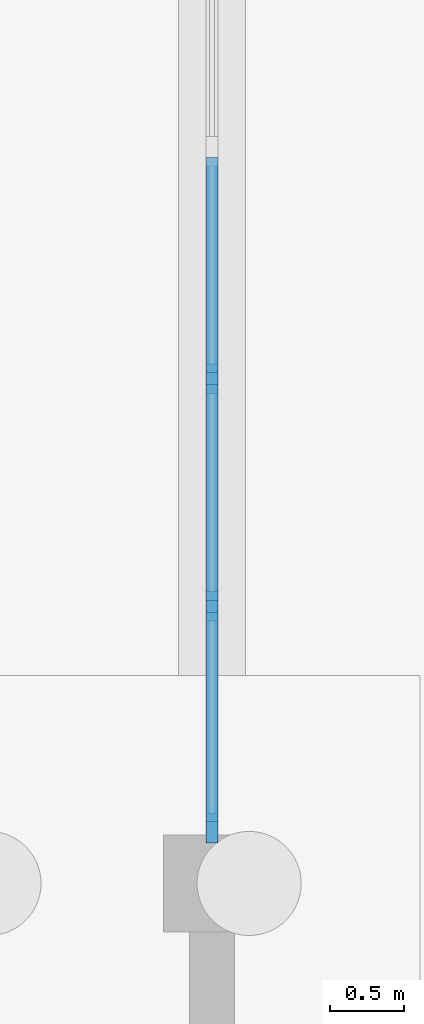
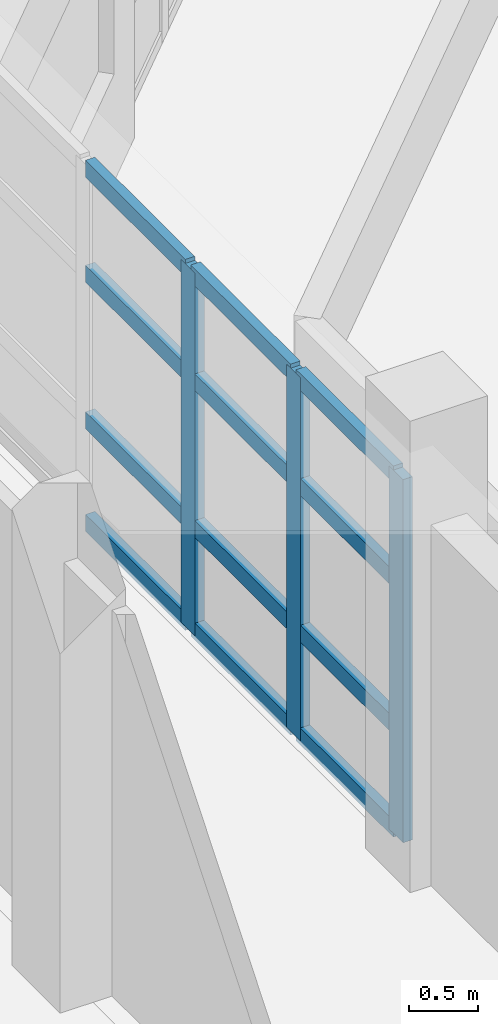
# One storey, part 19 of 88: 15 members, 1 element without a shape of its own.
"""IFC4 building model written with IfcOpenShell, lengths in metres."""

import ifcopenshell
import ifcopenshell.guid

model = None  # the IFC model being written
_history = None  # IfcOwnerHistory: only IFC2X3 demands one
_inside = {}  # id of a spatial element -> (the spatial element, [elements in it])
_under = {}  # id of a project, library or spatial element -> (it, [spatial elements below it])
_declared = {}  # id of a project -> (the project, [libraries it declares])
_typed = {}  # id of a type object -> (the type object, [elements of that type])
_made_of = {}  # id of a material, layer set ... -> (it, [elements and type objects made of it])


def new_model(schema):
    """Start an empty IFC model of exactly this schema.

    Asked for "IFC4X3", IfcOpenShell would pick the latest addendum, in which some entities
    have other attributes; the version numbers below select the first issue.
    IFC2X3 requires an IfcOwnerHistory on every rooted entity: one is made here for all.
    """
    global model, _history
    if schema == "IFC4X3":
        model = ifcopenshell.file(schema_version=(4, 3, 0, 0))
    else:
        model = ifcopenshell.file(schema=schema)
    _inside.clear()
    _under.clear()
    _declared.clear()
    _typed.clear()
    _made_of.clear()
    _history = None
    if model.schema == "IFC2X3":
        org = make("IfcOrganization", Name="unknown")
        user = make(
            "IfcPersonAndOrganization",
            ThePerson=make("IfcPerson", FamilyName="unknown"),
            TheOrganization=org,
        )
        app = make(
            "IfcApplication",
            ApplicationDeveloper=org,
            Version="unknown",
            ApplicationFullName="unknown",
            ApplicationIdentifier="unknown",
        )
        _history = make(
            "IfcOwnerHistory",
            OwningUser=user,
            OwningApplication=app,
            ChangeAction="ADDED",
            CreationDate=0,
        )
    return model


def make(cls, **values):
    """One entity of the class cls with the attributes given. An attribute that is None is left unset."""
    return model.create_entity(
        cls, **{name: value for name, value in values.items() if value is not None}
    )


def rooted(cls, **values):
    """An entity with a GlobalId (a new one), such as an element, a storey or a relation."""
    return make(cls, GlobalId=ifcopenshell.guid.new(), OwnerHistory=_history, **values)


def si_unit(unit_type, name, prefix=None):
    """IfcSIUnit, for example si_unit("LENGTHUNIT", "METRE", prefix="MILLI")."""
    return make("IfcSIUnit", UnitType=unit_type, Prefix=prefix, Name=name)


def assignment(units):
    """IfcUnitAssignment: the units of a project."""
    return None if units is None else make("IfcUnitAssignment", Units=units)


def point(xyz):
    """IfcCartesianPoint."""
    return None if xyz is None else make("IfcCartesianPoint", Coordinates=xyz)


def direction(xyz):
    """IfcDirection."""
    return None if xyz is None else make("IfcDirection", DirectionRatios=xyz)


def frame(location, z_axis=None, x_axis=None):
    """IfcAxis2Placement3D, a coordinate frame: its origin and axes. An axis left out is left unset."""
    return make(
        "IfcAxis2Placement3D",
        Location=point(location),
        Axis=direction(z_axis),
        RefDirection=direction(x_axis),
    )


def frame_2d(location, x_axis=None):
    """IfcAxis2Placement2D, a coordinate frame in the plane: its origin and x axis."""
    return make(
        "IfcAxis2Placement2D", Location=point(location), RefDirection=direction(x_axis)
    )


def origin():
    """The frame at (0, 0, 0) with its axes left unset."""
    return frame((0.0, 0.0, 0.0))


def origin_2d():
    """The frame at (0, 0) in the plane with its x axis left unset."""
    return frame_2d((0.0, 0.0))


def place(relative_to, where):
    """IfcLocalPlacement: puts the frame where relative to a parent placement (None: the world)."""
    return make(
        "IfcLocalPlacement", PlacementRelTo=relative_to, RelativePlacement=where
    )


def context(
    kind, dimensions, precision=None, world=None, true_north=None, identifier=None
):
    """IfcGeometricRepresentationContext, for example the 3D "Model" context."""
    return make(
        "IfcGeometricRepresentationContext",
        ContextIdentifier=identifier,
        ContextType=kind,
        CoordinateSpaceDimension=dimensions,
        Precision=precision,
        WorldCoordinateSystem=world,
        TrueNorth=true_north,
    )


def subcontext(parent, identifier, kind, view, scale=None):
    """IfcGeometricRepresentationSubContext, for example "Body" below "Model"."""
    return make(
        "IfcGeometricRepresentationSubContext",
        ContextIdentifier=identifier,
        ContextType=kind,
        ParentContext=parent,
        TargetScale=scale,
        TargetView=view,
    )


def project(units=None, contexts=None):
    """IfcProject with its units and contexts."""
    return rooted(
        "IfcProject",
        Name="project",
        RepresentationContexts=contexts,
        UnitsInContext=assignment(units),
    )


def spatial(cls, under=None, at=None, **own):
    """A site, building, storey or space (cls), placed at a placement, below another one or the project."""
    s = rooted(cls, ObjectPlacement=at, **own)
    if under is not None:
        _under.setdefault(under.id(), (under, []))[1].append(s)
    return s


def profile(cls, at=None, kind="AREA", **sizes):
    """A parametric profile (cls). Its sizes go by their IFC names, for example OverallWidth=200.0."""
    return make(cls, ProfileType=kind, Position=at, **sizes)


def rectangle(**sizes):
    """IfcRectangleProfileDef."""
    return profile("IfcRectangleProfileDef", **sizes)


def extrude(swept, where, along, depth):
    """IfcExtrudedAreaSolid: the profile swept, set in the frame where, extruded along a direction by depth."""
    return make(
        "IfcExtrudedAreaSolid",
        SweptArea=swept,
        Position=where,
        ExtrudedDirection=direction(along),
        Depth=depth,
    )


def shape(context_of_items, identifier, shape_type, items):
    """IfcShapeRepresentation: the items that make up one representation, for example the "Body"."""
    return make(
        "IfcShapeRepresentation",
        ContextOfItems=context_of_items,
        RepresentationIdentifier=identifier,
        RepresentationType=shape_type,
        Items=items,
    )


def material(Name=None, Category=None):
    """IfcMaterial."""
    return make("IfcMaterial", Name=Name, Category=Category)


def material_profile(
    of_material, cross_section, Name=None, Category=None, Priority=None
):
    """IfcMaterialProfile: a cross section and its material."""
    return make(
        "IfcMaterialProfile",
        Name=Name,
        Material=of_material,
        Profile=cross_section,
        Priority=Priority,
        Category=Category,
    )


def profile_set(profiles, Name=None, composite=None):
    """IfcMaterialProfileSet."""
    return make(
        "IfcMaterialProfileSet",
        Name=Name,
        MaterialProfiles=profiles,
        CompositeProfile=composite,
    )


def made_of(thing, what):
    """Note that an element or type object is made of a material, layer set ...; save() writes the relation."""
    if what is not None:
        _made_of.setdefault(what.id(), (what, []))[1].append(thing)
    return thing


def type_object(cls, material=None, **own):
    """A type object (cls), such as IfcWallType, which elements share."""
    return made_of(rooted(cls, **own), material)


def element(
    cls,
    number,
    at=None,
    inside=None,
    cuts=None,
    type_object=None,
    material=None,
    context=None,
    identifier="Body",
    shape_type=None,
    held_by="IfcProductDefinitionShape",
    body=None,
    shapes=None,
    **own,
):
    """One element of the class cls, such as IfcWall. Its Tag is "e" and its number.

    at: its placement. inside: the storey or other place that contains it. cuts: it is an
    opening in that element (IfcRelVoidsElement). A single representation is given by context,
    identifier, shape_type and body (its items); several are given by shapes. held_by: the class
    of the entity that holds the representations. save() writes the other relations.
    """
    e = rooted(cls, Tag="e%d" % number, ObjectPlacement=at, **own)
    if body is not None:
        shapes = [shape(context, identifier, shape_type, body)]
    if shapes is not None:
        e.Representation = make(held_by, Representations=shapes)
    if inside is not None:
        _inside.setdefault(inside.id(), (inside, []))[1].append(e)
    if cuts is not None:
        rooted(
            "IfcRelVoidsElement", RelatingBuildingElement=cuts, RelatedOpeningElement=e
        )
    if type_object is not None:
        _typed.setdefault(type_object.id(), (type_object, []))[1].append(e)
    return made_of(e, material)


def aggregate(whole, parts):
    """IfcRelAggregates: a whole, such as a stair, and the parts it consists of."""
    return rooted("IfcRelAggregates", RelatingObject=whole, RelatedObjects=parts)


def save(model, path):
    """Write the relations noted so far, then the file.

    IfcRelAggregates (storeys below a building ...), IfcRelContainedInSpatialStructure (elements
    in a storey), IfcRelDefinesByType, IfcRelAssociatesMaterial and IfcRelDeclares: one each for
    every whole, place, type object, material and project.
    """
    for whole, parts in _under.values():
        aggregate(whole, parts)
    for where, things in _inside.values():
        rooted(
            "IfcRelContainedInSpatialStructure",
            RelatedElements=things,
            RelatingStructure=where,
        )
    for kind, things in _typed.values():
        rooted("IfcRelDefinesByType", RelatedObjects=things, RelatingType=kind)
    for what, things in _made_of.values():
        rooted("IfcRelAssociatesMaterial", RelatedObjects=things, RelatingMaterial=what)
    for by, libraries in _declared.values():
        rooted("IfcRelDeclares", RelatingContext=by, RelatedDefinitions=libraries)
    model.write(path)


model = new_model("IFC4")

# Units and contexts
model_context = context("Model", 3, precision=1e-05, world=origin(), true_north=direction((0.0, 1.0)))
body_context = subcontext(model_context, "Body", "Model", "MODEL_VIEW")
ifc_project = project(units=[si_unit("LENGTHUNIT", "METRE"), si_unit("AREAUNIT", "SQUARE_METRE"), si_unit("VOLUMEUNIT", "CUBIC_METRE"), si_unit("PLANEANGLEUNIT", "RADIAN"), si_unit("MASSUNIT", "GRAM", prefix="KILO")], contexts=[model_context])

# Site, building, storey
site_placement = place(None, origin())
site = spatial("IfcSite", under=ifc_project, at=site_placement, CompositionType="ELEMENT")
building_placement = place(site_placement, origin())
building = spatial("IfcBuilding", under=site, at=building_placement, Name="Vanh Quang Courtyard School", CompositionType="ELEMENT")
storey_placement = place(building_placement, origin())
storey = spatial("IfcBuildingStorey", under=building, at=storey_placement, Name="L00", CompositionType="ELEMENT", Elevation=0.0)

# Curtain wall, members
ifc_material_1 = material(Name="Thermally broken aluminium unitised curtain wall", Category="aluminium")
curtain_wall_type = type_object("IfcCurtainWallType", Name="CW-SYS-13", PredefinedType="NOTDEFINED", material=ifc_material_1)
curtain_wall_placement = place(storey_placement, origin())
curtain_wall = element("IfcCurtainWall", 1, at=curtain_wall_placement, inside=storey, type_object=curtain_wall_type, Name="Curtain Wall CW-13 (L00)", PredefinedType="NOTDEFINED")
ifc_material_2 = material(Name="Anodised aluminium 6063-T6", Category="aluminium")
ifc_material_profile_1 = material_profile(ifc_material_2, rectangle(XDim=0.080078125, YDim=0.199951171875, at=origin_2d()), Name="ALU-MUL 80x200")
ifc_profile_set_1 = profile_set([ifc_material_profile_1], Name="Anodised aluminium 6063-T6")
member_type_1 = type_object("IfcMemberType", Name="CW-MUL-80x200", PredefinedType="MULLION", material=ifc_profile_set_1)
member_1_placement = place(storey_placement, frame((40.800048828125, 62.79443359375, 0.0), z_axis=(0.0, 0.0, 1.0), x_axis=(1.0, 0.0, 0.0)))
member_1 = element("IfcMember", 2, at=member_1_placement, type_object=member_type_1, Name="CW-13 mullion 3", PredefinedType="MULLION", context=body_context, shape_type="SweptSolid", body=[
    extrude(rectangle(XDim=0.080078125, YDim=0.199951171875, at=origin_2d()), origin(), (0.0, 0.0, 1.0), 3.219970703125),
])
member_2_placement = place(storey_placement, frame((40.800048828125, 61.263671875, 0.0), z_axis=(0.0, 0.0, 1.0), x_axis=(1.0, 0.0, 0.0)))
member_2 = element("IfcMember", 3, at=member_2_placement, type_object=member_type_1, Name="CW-13 mullion 4", PredefinedType="MULLION", context=body_context, shape_type="SweptSolid", body=[
    extrude(rectangle(XDim=0.080078125, YDim=0.199951171875, at=origin_2d()), origin(), (0.0, 0.0, 1.0), 3.219970703125),
])
member_3_placement = place(storey_placement, frame((40.800048828125, 59.77294921875, 0.0), z_axis=(0.0, 0.0, 1.0), x_axis=(1.0, 0.0, 0.0)))
member_3 = element("IfcMember", 4, at=member_3_placement, type_object=member_type_1, Name="CW-13 mullion 5", PredefinedType="MULLION", context=body_context, shape_type="SweptSolid", body=[
    extrude(rectangle(XDim=0.080078125, YDim=0.199951171875, at=origin_2d()), origin(), (0.0, 0.0, 1.0), 3.219970703125),
])
ifc_material_profile_2 = material_profile(ifc_material_2, rectangle(XDim=0.080078125, YDim=0.14990234375, at=origin_2d()), Name="ALU-TRN 80x150")
ifc_profile_set_2 = profile_set([ifc_material_profile_2], Name="Anodised aluminium 6063-T6")
member_type_2 = type_object("IfcMemberType", Name="CW-TRN-80x150", PredefinedType="USERDEFINED", material=ifc_profile_set_2)
member_4_placement = place(storey_placement, frame((40.800048828125, 64.28515625, 0.0400390625), z_axis=(0.0, -1.0, 0.0), x_axis=(1.0, 0.0, 0.0)))
member_4 = element("IfcMember", 5, at=member_4_placement, type_object=member_type_2, Name="CW-13 transom 2.1", ObjectType="TRANSOM", PredefinedType="USERDEFINED", context=body_context, shape_type="SweptSolid", body=[
    extrude(rectangle(XDim=0.080078125, YDim=0.14990234375, at=origin_2d()), origin(), (0.0, 0.0, 1.0), 1.45068359375),
])
member_5_placement = place(storey_placement, frame((40.800048828125, 64.28515625, 0.949951171875), z_axis=(0.0, -1.0, 0.0), x_axis=(1.0, 0.0, 0.0)))
member_5 = element("IfcMember", 6, at=member_5_placement, type_object=member_type_2, Name="CW-13 transom 2.2", ObjectType="TRANSOM", PredefinedType="USERDEFINED", context=body_context, shape_type="SweptSolid", body=[
    extrude(rectangle(XDim=0.080078125, YDim=0.14990234375, at=origin_2d()), origin(), (0.0, 0.0, 1.0), 1.45068359375),
])
member_6_placement = place(storey_placement, frame((40.800048828125, 64.28515625, 2.25), z_axis=(0.0, -1.0, 0.0), x_axis=(1.0, 0.0, 0.0)))
member_6 = element("IfcMember", 7, at=member_6_placement, type_object=member_type_2, Name="CW-13 transom 2.3", ObjectType="TRANSOM", PredefinedType="USERDEFINED", context=body_context, shape_type="SweptSolid", body=[
    extrude(rectangle(XDim=0.080078125, YDim=0.14990234375, at=origin_2d()), origin(), (0.0, 0.0, 1.0), 1.45068359375),
])
member_7_placement = place(storey_placement, frame((40.800048828125, 64.28515625, 3.179931640625), z_axis=(0.0, -1.0, 0.0), x_axis=(1.0, 0.0, 0.0)))
member_7 = element("IfcMember", 8, at=member_7_placement, type_object=member_type_2, Name="CW-13 transom 2.4", ObjectType="TRANSOM", PredefinedType="USERDEFINED", context=body_context, shape_type="SweptSolid", body=[
    extrude(rectangle(XDim=0.080078125, YDim=0.14990234375, at=origin_2d()), origin(), (0.0, 0.0, 1.0), 1.45068359375),
])
member_8_placement = place(storey_placement, frame((40.800048828125, 62.75439453125, 0.0400390625), z_axis=(0.0, -1.0, 0.0), x_axis=(1.0, 0.0, 0.0)))
member_8 = element("IfcMember", 9, at=member_8_placement, type_object=member_type_2, Name="CW-13 transom 3.1", ObjectType="TRANSOM", PredefinedType="USERDEFINED", context=body_context, shape_type="SweptSolid", body=[
    extrude(rectangle(XDim=0.080078125, YDim=0.14990234375, at=origin_2d()), origin(), (0.0, 0.0, 1.0), 1.45068359375),
])
member_9_placement = place(storey_placement, frame((40.800048828125, 62.75439453125, 0.949951171875), z_axis=(0.0, -1.0, 0.0), x_axis=(1.0, 0.0, 0.0)))
member_9 = element("IfcMember", 10, at=member_9_placement, type_object=member_type_2, Name="CW-13 transom 3.2", ObjectType="TRANSOM", PredefinedType="USERDEFINED", context=body_context, shape_type="SweptSolid", body=[
    extrude(rectangle(XDim=0.080078125, YDim=0.14990234375, at=origin_2d()), origin(), (0.0, 0.0, 1.0), 1.45068359375),
])
member_10_placement = place(storey_placement, frame((40.800048828125, 62.75439453125, 2.25), z_axis=(0.0, -1.0, 0.0), x_axis=(1.0, 0.0, 0.0)))
member_10 = element("IfcMember", 11, at=member_10_placement, type_object=member_type_2, Name="CW-13 transom 3.3", ObjectType="TRANSOM", PredefinedType="USERDEFINED", context=body_context, shape_type="SweptSolid", body=[
    extrude(rectangle(XDim=0.080078125, YDim=0.14990234375, at=origin_2d()), origin(), (0.0, 0.0, 1.0), 1.45068359375),
])
member_11_placement = place(storey_placement, frame((40.800048828125, 62.75439453125, 3.179931640625), z_axis=(0.0, -1.0, 0.0), x_axis=(1.0, 0.0, 0.0)))
member_11 = element("IfcMember", 12, at=member_11_placement, type_object=member_type_2, Name="CW-13 transom 3.4", ObjectType="TRANSOM", PredefinedType="USERDEFINED", context=body_context, shape_type="SweptSolid", body=[
    extrude(rectangle(XDim=0.080078125, YDim=0.14990234375, at=origin_2d()), origin(), (0.0, 0.0, 1.0), 1.45068359375),
])
member_12_placement = place(storey_placement, frame((40.800048828125, 61.2236328125, 0.0400390625), z_axis=(0.0, -1.0, 0.0), x_axis=(1.0, 0.0, 0.0)))
member_12 = element("IfcMember", 13, at=member_12_placement, type_object=member_type_2, Name="CW-13 transom 4.1", ObjectType="TRANSOM", PredefinedType="USERDEFINED", context=body_context, shape_type="SweptSolid", body=[
    extrude(rectangle(XDim=0.080078125, YDim=0.14990234375, at=origin_2d()), origin(), (0.0, 0.0, 1.0), 1.41064453125),
])
member_13_placement = place(storey_placement, frame((40.800048828125, 61.2236328125, 0.949951171875), z_axis=(0.0, -1.0, 0.0), x_axis=(1.0, 0.0, 0.0)))
member_13 = element("IfcMember", 14, at=member_13_placement, type_object=member_type_2, Name="CW-13 transom 4.2", ObjectType="TRANSOM", PredefinedType="USERDEFINED", context=body_context, shape_type="SweptSolid", body=[
    extrude(rectangle(XDim=0.080078125, YDim=0.14990234375, at=origin_2d()), origin(), (0.0, 0.0, 1.0), 1.41064453125),
])
member_14_placement = place(storey_placement, frame((40.800048828125, 61.2236328125, 2.25), z_axis=(0.0, -1.0, 0.0), x_axis=(1.0, 0.0, 0.0)))
member_14 = element("IfcMember", 15, at=member_14_placement, type_object=member_type_2, Name="CW-13 transom 4.3", ObjectType="TRANSOM", PredefinedType="USERDEFINED", context=body_context, shape_type="SweptSolid", body=[
    extrude(rectangle(XDim=0.080078125, YDim=0.14990234375, at=origin_2d()), origin(), (0.0, 0.0, 1.0), 1.41064453125),
])
member_15_placement = place(storey_placement, frame((40.800048828125, 61.2236328125, 3.179931640625), z_axis=(0.0, -1.0, 0.0), x_axis=(1.0, 0.0, 0.0)))
member_15 = element("IfcMember", 16, at=member_15_placement, type_object=member_type_2, Name="CW-13 transom 4.4", ObjectType="TRANSOM", PredefinedType="USERDEFINED", context=body_context, shape_type="SweptSolid", body=[
    extrude(rectangle(XDim=0.080078125, YDim=0.14990234375, at=origin_2d()), origin(), (0.0, 0.0, 1.0), 1.41064453125),
])
aggregate(curtain_wall, [member_1, member_2, member_3, member_4, member_5, member_6, member_7, member_8, member_9, member_10, member_11, member_12, member_13, member_14, member_15])

save(model, "model.ifc")
